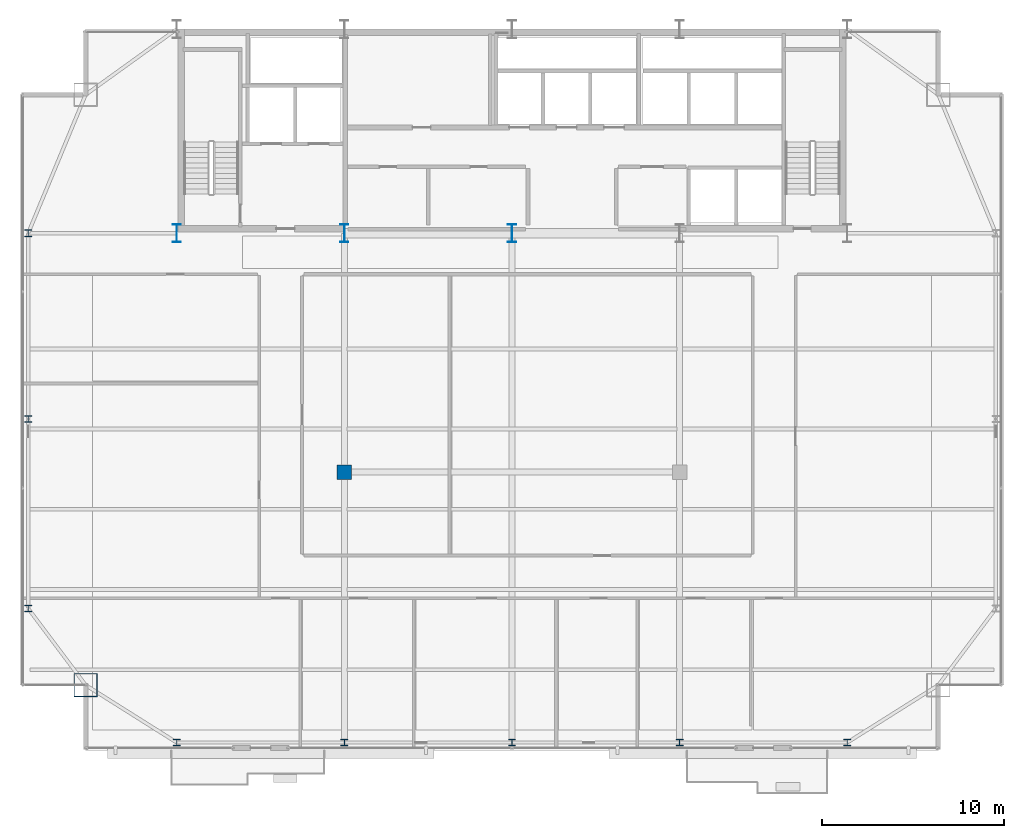
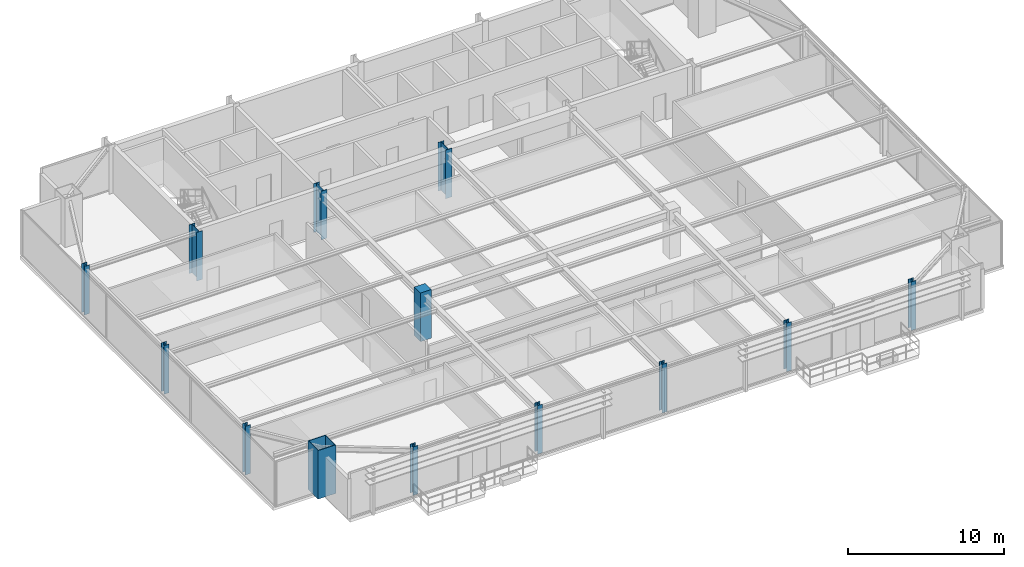
# One storey, part 1 of 30: 13 columns.
"""IFC4 building model written with IfcOpenShell, lengths in metres."""

from ifc_helpers import new_model, si_unit, direction, frame, origin, origin_2d, place, context, subcontext, project, spatial, rectangle, hollow_rectangle, i_section, extrude, source, transform, mapped, material, material_profile, profile_set, type_object, type_shapes, element, save


model = new_model("IFC4")

# Units and contexts
model_context = context("Model", 3, precision=1e-05, world=origin(), true_north=direction((0.0, 1.0)))
body_context = subcontext(model_context, "Body", "Model", "MODEL_VIEW")
ifc_project = project(units=[si_unit("LENGTHUNIT", "METRE"), si_unit("AREAUNIT", "SQUARE_METRE"), si_unit("VOLUMEUNIT", "CUBIC_METRE"), si_unit("PLANEANGLEUNIT", "RADIAN"), si_unit("MASSUNIT", "GRAM", prefix="KILO")], contexts=[model_context])

# Site, building, storey
site_placement = place(None, origin())
site = spatial("IfcSite", under=ifc_project, at=site_placement, CompositionType="ELEMENT")
building_placement = place(site_placement, origin())
building = spatial("IfcBuilding", under=site, at=building_placement, Name="Varnel Quay Broadcast Tower", CompositionType="ELEMENT")
storey_placement = place(building_placement, frame((0.0, 0.0, 168.60009765625)))
storey = spatial("IfcBuildingStorey", under=building, at=storey_placement, Name="L41", CompositionType="ELEMENT", Elevation=168.60009765625)

# Columns
ifc_material_1 = material(Name="Structural Steel CSA G40.21 350WT", Category="steel")
ifc_material_profile_1 = material_profile(ifc_material_1, i_section(OverallWidth=0.449951171875, OverallDepth=1.0, WebThickness=0.01611328125, FlangeThickness=0.030029296875, FilletRadius=0.01611328125, at=origin_2d()), Name="WWF1000X362")
ifc_profile_set_1 = profile_set([ifc_material_profile_1], Name="Structural Steel CSA G40.21 350WT")
column_type_1 = type_object("IfcColumnType", Name="Col_WWF1000X362", PredefinedType="COLUMN", material=ifc_profile_set_1)
shared_shape_1 = source(origin(), body_context, "Body", "SweptSolid", [
    extrude(i_section(OverallWidth=0.449951171875, OverallDepth=1.0, WebThickness=0.01611328125, FlangeThickness=0.030029296875, FilletRadius=0.01611328125, at=origin_2d()), origin(), (0.0, 0.0, 1.0), 3.7998046875),
])
type_shapes(column_type_1, [shared_shape_1])
for number, where, z_axis, x_axis, name in (
    (1, (15.60009765625, 35.60009765625, 0.0), (0.0, 0.0, 1.0), (1.0, 0.0, 0.0), "L41 Column CC-S1"),
    (2, (24.800048828125, 35.60009765625, 0.0), (0.0, 0.0, 1.0), (1.0, 0.0, 0.0), "L41 Column CC-S2"),
    (3, (34.0, 35.60009765625, 0.0), (0.0, 0.0, 1.0), (1.0, 0.0, 0.0), "L41 Column CC-S3"),
):
    element("IfcColumn", number, at=place(storey_placement, frame(where, z_axis=z_axis, x_axis=x_axis)), inside=storey, type_object=column_type_1, Name=name, PredefinedType="COLUMN", context=body_context, shape_type="MappedRepresentation", body=[
        mapped(shared_shape_1, transform((0.0, 0.0, 0.0), x_axis=(1.0, 0.0, 0.0), y_axis=(0.0, 1.0, 0.0), z_axis=(0.0, 0.0, 1.0), scale=1.0)),
    ])
ifc_material_profile_2 = material_profile(ifc_material_1, hollow_rectangle(XDim=1.300048828125, YDim=1.300048828125, WallThickness=0.050048828125, at=origin_2d()), Name="BOX1300X1300X50")
ifc_profile_set_2 = profile_set([ifc_material_profile_2], Name="Structural Steel CSA G40.21 350WT")
column_type_2 = type_object("IfcColumnType", Name="Col_BOX1300X1300X50", PredefinedType="COLUMN", material=ifc_profile_set_2)
shared_shape_2 = source(origin(), body_context, "Body", "SweptSolid", [
    extrude(hollow_rectangle(XDim=1.300048828125, YDim=1.300048828125, WallThickness=0.050048828125, at=origin_2d()), origin(), (0.0, 0.0, 1.0), 3.7998046875),
])
type_shapes(column_type_2, [shared_shape_2])
column_1_placement = place(storey_placement, frame((10.60009765625, 10.800048828125, 0.0), z_axis=(0.0, 0.0, 1.0), x_axis=(1.0, 0.0, 0.0)))
element("IfcColumn", 4, at=column_1_placement, inside=storey, type_object=column_type_2, Name="L41 Column MC-SW", PredefinedType="COLUMN", context=body_context, shape_type="MappedRepresentation", body=[
    mapped(shared_shape_2, transform((0.0, 0.0, 0.0), x_axis=(1.0, 0.0, 0.0), y_axis=(0.0, 1.0, 0.0), z_axis=(0.0, 0.0, 1.0), scale=1.0)),
])
ifc_material_2 = material(Name="Structural Steel CSA G40.21 350W", Category="steel")
ifc_material_profile_3 = material_profile(ifc_material_2, i_section(OverallWidth=0.3740234375, OverallDepth=0.3720703125, WebThickness=0.016357421875, FlangeThickness=0.026123046875, FilletRadius=0.01611328125, at=origin_2d()), Name="W360X196")
ifc_profile_set_3 = profile_set([ifc_material_profile_3], Name="Structural Steel CSA G40.21 350W")
column_type_3 = type_object("IfcColumnType", Name="Col_W360X196", PredefinedType="COLUMN", material=ifc_profile_set_3)
shared_shape_3 = source(origin(), body_context, "Body", "SweptSolid", [
    extrude(i_section(OverallWidth=0.3740234375, OverallDepth=0.3720703125, WebThickness=0.016357421875, FlangeThickness=0.026123046875, FilletRadius=0.01611328125, at=origin_2d()), origin(), (0.0, 0.0, 1.0), 3.7998046875),
])
type_shapes(column_type_3, [shared_shape_3])
for number, where, z_axis, x_axis, name in (
    (5, (15.60009765625, 7.64990234375, 0.0), (0.0, 0.0, 1.0), (1.0, 0.0, 0.0), "L41 Column TC-S1"),
    (6, (24.800048828125, 7.64990234375, 0.0), (0.0, 0.0, 1.0), (1.0, 0.0, 0.0), "L41 Column TC-S2"),
    (7, (34.0, 7.64990234375, 0.0), (0.0, 0.0, 1.0), (1.0, 0.0, 0.0), "L41 Column TC-S3"),
    (8, (43.199951171875, 7.64990234375, 0.0), (0.0, 0.0, 1.0), (1.0, 0.0, 0.0), "L41 Column TC-S4"),
    (9, (52.39990234375, 7.64990234375, 0.0), (0.0, 0.0, 1.0), (1.0, 0.0, 0.0), "L41 Column TC-S5"),
    (10, (7.449951171875, 15.0, 0.0), (0.0, 0.0, 1.0), (1.0, 0.0, 0.0), "L41 Column TC-W1"),
    (11, (7.449951171875, 25.39990234375, 0.0), (0.0, 0.0, 1.0), (1.0, 0.0, 0.0), "L41 Column TC-W2"),
    (12, (7.449951171875, 35.60009765625, 0.0), (0.0, 0.0, 1.0), (1.0, 0.0, 0.0), "L41 Column TC-W3"),
):
    element("IfcColumn", number, at=place(storey_placement, frame(where, z_axis=z_axis, x_axis=x_axis)), inside=storey, type_object=column_type_3, Name=name, PredefinedType="COLUMN", context=body_context, shape_type="MappedRepresentation", body=[
        mapped(shared_shape_3, transform((0.0, 0.0, 0.0), x_axis=(1.0, 0.0, 0.0), y_axis=(0.0, 1.0, 0.0), z_axis=(0.0, 0.0, 1.0), scale=1.0)),
    ])
ifc_material_3 = material(Name="Concrete CSA A23.3 C50/60", Category="concrete")
ifc_material_profile_4 = material_profile(ifc_material_3, rectangle(XDim=0.800048828125, YDim=0.800048828125, at=origin_2d()), Name="RC800X800")
ifc_profile_set_4 = profile_set([ifc_material_profile_4], Name="Concrete CSA A23.3 C50/60")
column_type_4 = type_object("IfcColumnType", Name="Col_RC800X800", PredefinedType="COLUMN", material=ifc_profile_set_4)
shared_shape_4 = source(origin(), body_context, "Body", "SweptSolid", [
    extrude(rectangle(XDim=0.800048828125, YDim=0.800048828125, at=origin_2d()), origin(), (0.0, 0.0, 1.0), 3.7998046875),
])
type_shapes(column_type_4, [shared_shape_4])
column_2_placement = place(storey_placement, frame((24.800048828125, 22.489990234375, 0.0), z_axis=(0.0, 0.0, 1.0), x_axis=(1.0, 0.0, 0.0)))
element("IfcColumn", 13, at=column_2_placement, inside=storey, type_object=column_type_4, Name="L41 Column IC-01", PredefinedType="COLUMN", context=body_context, shape_type="MappedRepresentation", body=[
    mapped(shared_shape_4, transform((0.0, 0.0, 0.0), x_axis=(1.0, 0.0, 0.0), y_axis=(0.0, 1.0, 0.0), z_axis=(0.0, 0.0, 1.0), scale=1.0)),
])

save(model, "model.ifc")
